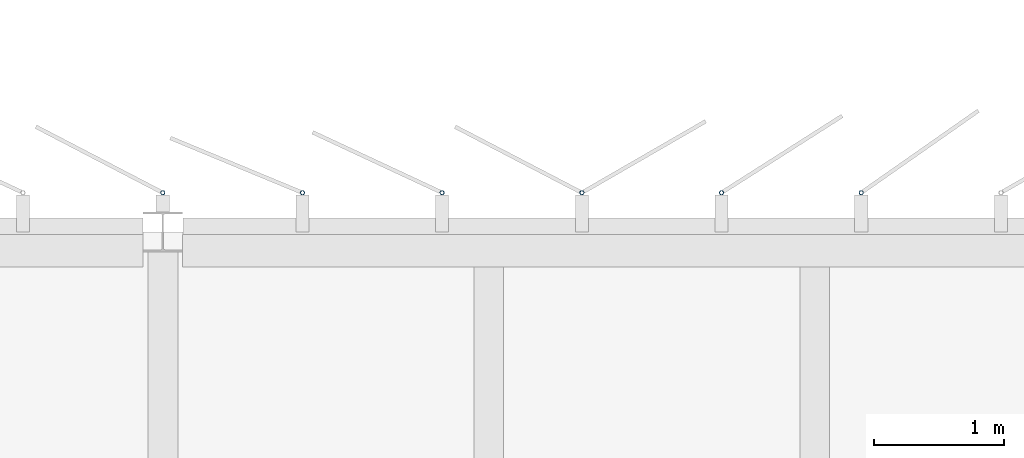
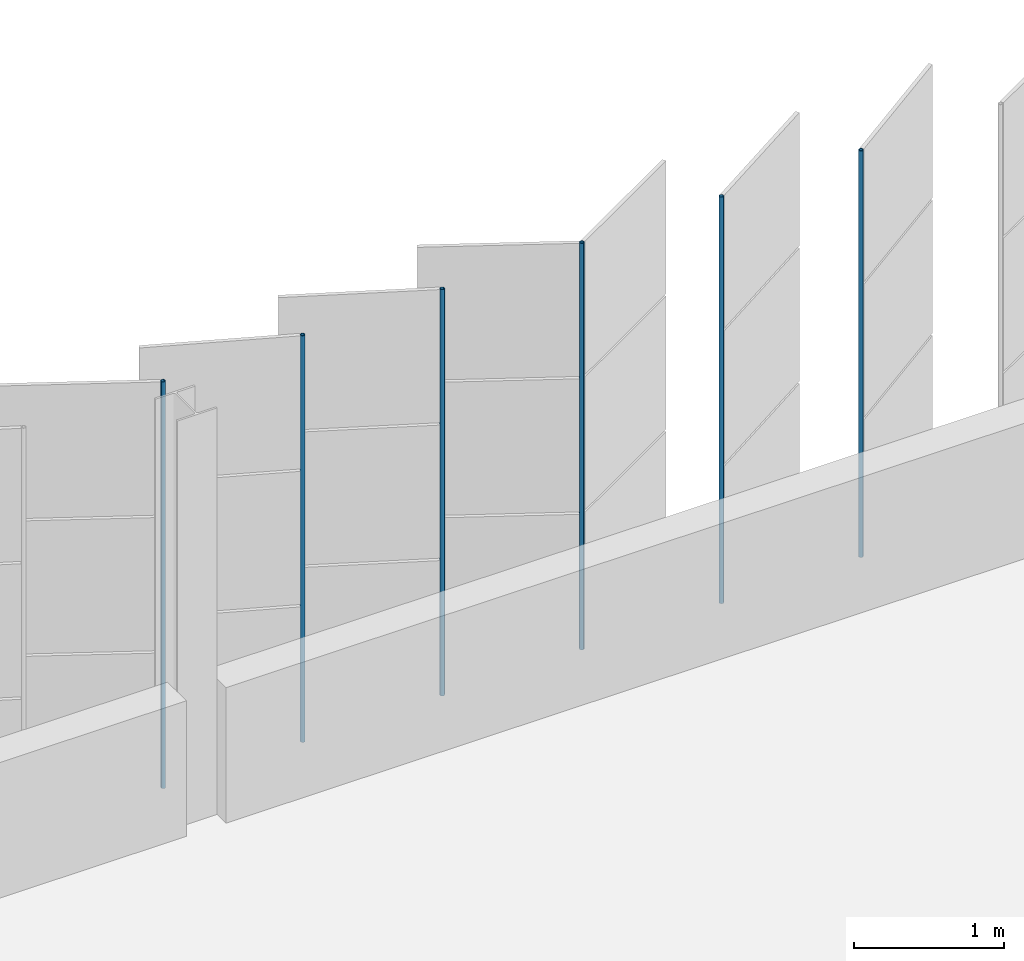
# One storey, part 153 of 199: 6 discrete accessories.
"""IFC4 building model written with IfcOpenShell, lengths in metres."""

from ifc_helpers import new_model, si_unit, direction, frame, origin, origin_2d, place, context, subcontext, project, spatial, hollow_circle, extrude, material, material_profile, profile_set, type_object, element, save


model = new_model("IFC4")

# Units and contexts
model_context = context("Model", 3, precision=1e-05, world=origin(), true_north=direction((0.0, 1.0)))
body_context = subcontext(model_context, "Body", "Model", "MODEL_VIEW")
ifc_project = project(units=[si_unit("LENGTHUNIT", "METRE"), si_unit("AREAUNIT", "SQUARE_METRE"), si_unit("VOLUMEUNIT", "CUBIC_METRE"), si_unit("PLANEANGLEUNIT", "RADIAN"), si_unit("MASSUNIT", "GRAM", prefix="KILO")], contexts=[model_context])

# Site, building, storey
site_placement = place(None, origin())
site = spatial("IfcSite", under=ifc_project, at=site_placement, CompositionType="ELEMENT")
building_placement = place(site_placement, origin())
building = spatial("IfcBuilding", under=site, at=building_placement, Name="Parallax Yard Mobility Hub", CompositionType="ELEMENT")
storey_placement = place(building_placement, frame((0.0, 0.0, 9.89990234375)))
storey = spatial("IfcBuildingStorey", under=building, at=storey_placement, Name="L03", CompositionType="ELEMENT", Elevation=9.89990234375)

# Discrete accessories
ifc_material = material(Name="Steel ASTM A500 Gr C, hot-dip galvanised", Category="steel")
ifc_material_profile = material_profile(ifc_material, hollow_circle(Radius=0.016845703125, WallThickness=0.003173828125, at=origin_2d()), Name="CHS 33.7x3.2")
ifc_profile_set = profile_set([ifc_material_profile], Name="Steel ASTM A500 Gr C, hot-dip galvanised")
discrete_accessory_type = type_object("IfcDiscreteAccessoryType", Name="Hinge post CHS 33.7x3.2", PredefinedType="BRACKET", material=ifc_profile_set)
for number, where, z_axis, x_axis, name in (
    (1, (155.35693359375, 142.800048828125, 0.0), (0.0, 0.0, 1.0), (1.0, 0.0, 0.0), "Hinge post bay 53.3 level L03"),
    (2, (154.285400390625, 142.800048828125, 0.0), (0.0, 0.0, 1.0), (1.0, 0.0, 0.0), "Hinge post bay 53.4 level L03"),
    (3, (153.2138671875, 142.800048828125, 0.0), (0.0, 0.0, 1.0), (1.0, 0.0, 0.0), "Hinge post bay 53.5 level L03"),
    (4, (152.142333984375, 142.800048828125, 0.0), (0.0, 0.0, 1.0), (1.0, 0.0, 0.0), "Hinge post bay 53.6 level L03"),
    (5, (151.07080078125, 142.800048828125, 0.0), (0.0, 0.0, 1.0), (1.0, 0.0, 0.0), "Hinge post bay 53.7 level L03"),
    (6, (149.999267578125, 142.800048828125, 0.0), (0.0, 0.0, 1.0), (1.0, 0.0, 0.0), "Hinge post bay 54.1 level L03"),
):
    element("IfcDiscreteAccessory", number, at=place(storey_placement, frame(where, z_axis=z_axis, x_axis=x_axis)), inside=storey, type_object=discrete_accessory_type, Name=name, PredefinedType="BRACKET", context=body_context, shape_type="SweptSolid", body=[
        extrude(hollow_circle(Radius=0.016845703125, WallThickness=0.003173828125, at=origin_2d()), origin(), (0.0, 0.0, 1.0), 3.300048828125),
    ])

save(model, "model.ifc")
